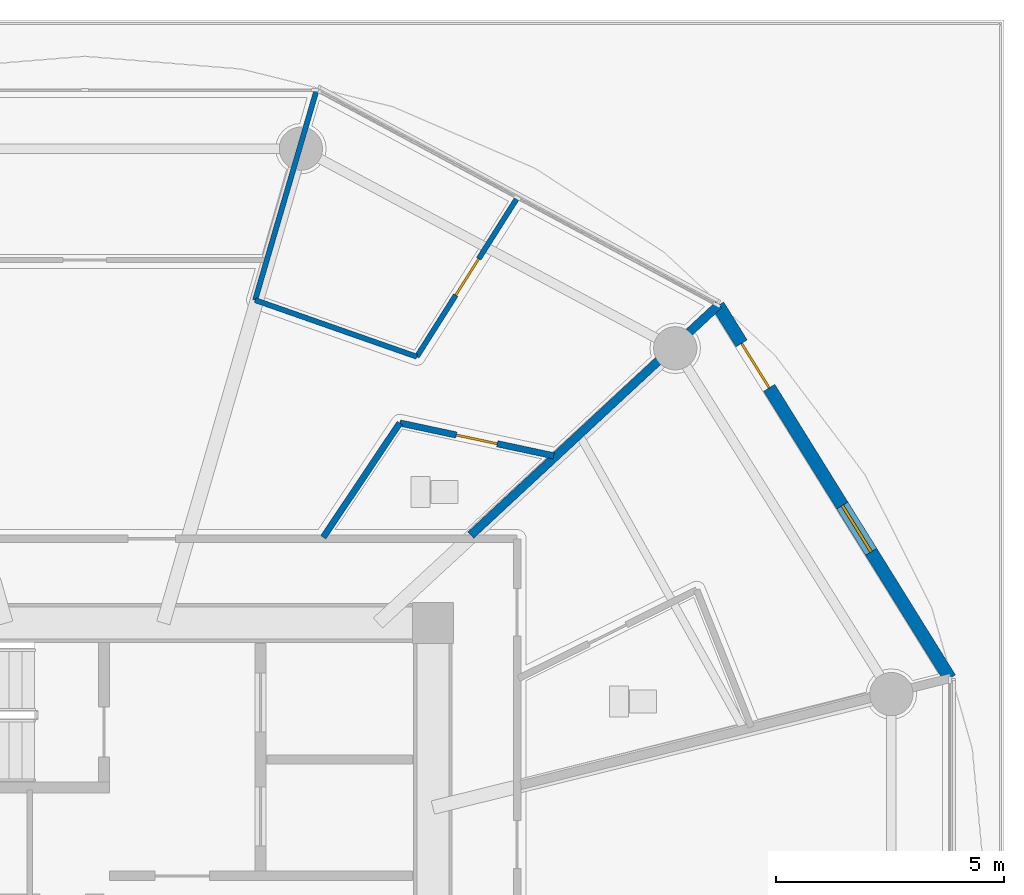
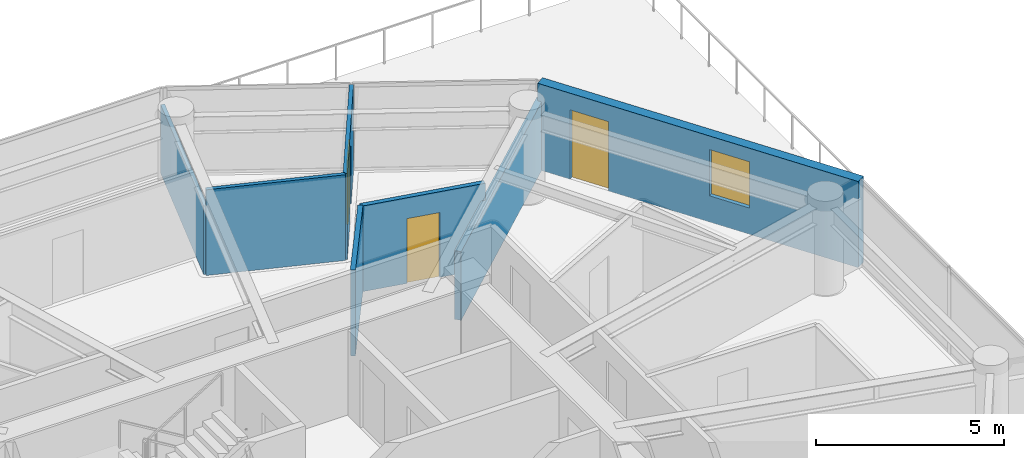
# One storey, part 20 of 32: 7 walls, 3 doors, 1 window, 4 openings.
"""IFC4 building model written with IfcOpenShell, lengths in metres."""

from ifc_helpers import new_model, si_unit, direction, frame, frame_2d, origin, place, context, subcontext, project, spatial, rectangle, extrude, source, transform, mapped, material, layer, layer_set, type_object, type_shapes, element, fill, save


model = new_model("IFC4")

# Units and contexts
model_context = context("Model", 3, precision=1e-05, world=origin(), true_north=direction((0.0, 1.0)))
body_context = subcontext(model_context, "Body", "Model", "MODEL_VIEW")
ifc_project = project(units=[si_unit("LENGTHUNIT", "METRE"), si_unit("AREAUNIT", "SQUARE_METRE"), si_unit("VOLUMEUNIT", "CUBIC_METRE"), si_unit("PLANEANGLEUNIT", "RADIAN"), si_unit("MASSUNIT", "GRAM", prefix="KILO")], contexts=[model_context])

# Site, building, storey
site_placement = place(None, origin())
site = spatial("IfcSite", under=ifc_project, at=site_placement, CompositionType="ELEMENT")
building_placement = place(site_placement, origin())
building = spatial("IfcBuilding", under=site, at=building_placement, Name="Norrkilde Senior Care Towers", CompositionType="ELEMENT")
storey_placement = place(building_placement, frame((0.0, 0.0, 21.60009765625)))
storey = spatial("IfcBuildingStorey", under=building, at=storey_placement, Name="L05", CompositionType="ELEMENT", Elevation=21.60009765625)

# Wall, openings, door, window
ifc_material_1 = material(Name="Precast concrete C45/55", Category="concrete")
ifc_layer_1 = layer(ifc_material_1, 0.2900390625)
ifc_layer_set_1 = layer_set([ifc_layer_1], Name="Precast concrete C45/55")
wall_type_1 = type_object("IfcWallType", Name="Winter Garden Facade Wall 290", PredefinedType="SOLIDWALL", material=ifc_layer_set_1)
shared_shape_1 = source(origin(), body_context, "Body", "SweptSolid", [
    extrude(rectangle(XDim=9.64892578125, YDim=0.2900390625, at=frame_2d((4.824462890625, 0.0))), origin(), (0.0, 0.0, 1.0), 2.789794921875),
])
type_shapes(wall_type_1, [shared_shape_1])
wall_1_placement = place(storey_placement, frame((41.915771484375, 12.926025390625, 0.0), z_axis=(0.0, 0.0, 1.0), x_axis=(0.527909458386, -0.849300655684, 0.0)))
wall_1 = element("IfcWall", 1, at=wall_1_placement, inside=storey, type_object=wall_type_1, Name="L05 Drum E Balcony Access Wall 00", PredefinedType="SOLIDWALL", context=body_context, shape_type="MappedRepresentation", body=[
    mapped(shared_shape_1, transform((0.0, 0.0, 0.0), x_axis=(1.0, 0.0, 0.0), y_axis=(0.0, 1.0, 0.0), z_axis=(0.0, 0.0, 1.0), scale=1.0)),
])
opening_1_placement = place(wall_1_placement, frame((0.97998046875, 0.0, 0.0)))
opening_1 = element("IfcOpeningElement", 2, at=opening_1_placement, cuts=wall_1, Name="Opening D-09", PredefinedType="OPENING", context=body_context, shape_type="SweptSolid", body=[
    extrude(rectangle(XDim=1.14990234375, YDim=2.25, at=frame_2d((0.574951171875, 1.125))), frame((0.0, 0.155029296875, 0.0), z_axis=(0.0, -1.0, 0.0), x_axis=(1.0, 0.0, 0.0)), (0.0, 0.0, 1.0), 0.31005859375),
])
opening_2_placement = place(wall_1_placement, frame((5.17431640625, 0.0, 0.85009765625)))
opening_2 = element("IfcOpeningElement", 3, at=opening_2_placement, cuts=wall_1, Name="Opening WN-07", PredefinedType="OPENING", context=body_context, shape_type="SweptSolid", body=[
    extrude(rectangle(XDim=1.199951171875, YDim=1.5, at=frame_2d((0.60009765625, 0.75))), frame((0.0, 0.155029296875, 0.0), z_axis=(0.0, -1.0, 0.0), x_axis=(1.0, 0.0, 0.0)), (0.0, 0.0, 1.0), 0.31005859375),
])
ifc_material_2 = material(Name="Anodised Aluminium", Category="aluminium")
door_type_1 = type_object("IfcDoorType", Name="Terrace and Balcony Glazed Door 1150x2250", OperationType="NOTDEFINED", PredefinedType="DOOR", material=ifc_material_2)
shared_shape_2 = source(origin(), body_context, "Body", "SweptSolid", [
    extrude(rectangle(XDim=1.14990234375, YDim=2.25, at=frame_2d((0.574951171875, 1.125))), frame((0.0, 0.02490234375, 0.0), z_axis=(0.0, -1.0, 0.0), x_axis=(1.0, 0.0, 0.0)), (0.0, 0.0, 1.0), 0.050048828125),
])
type_shapes(door_type_1, [shared_shape_2])
door_1_placement = place(opening_1_placement, origin())
door_1 = element("IfcDoor", 4, at=door_1_placement, inside=storey, type_object=door_type_1, Name="L05 Drum E Outdoor Terrace Door 00", OperationType="SINGLE_SWING_LEFT", OverallHeight=2.25, OverallWidth=1.14990234375, PredefinedType="DOOR", context=body_context, shape_type="MappedRepresentation", body=[
    mapped(shared_shape_2, transform((0.0, 0.0, 0.0), x_axis=(1.0, 0.0, 0.0), y_axis=(0.0, 1.0, 0.0), z_axis=(0.0, 0.0, 1.0), scale=1.0)),
])
fill(opening_1, door_1)
ifc_material_3 = material(Name="Triple Low-E Insulated Glazing", Category="glass")
window_type = type_object("IfcWindowType", Name="Stairwell Smoke Vent Window 1200x1500", PartitioningType="SINGLE_PANEL", PredefinedType="WINDOW", material=ifc_material_3)
shared_shape_3 = source(origin(), body_context, "Body", "SweptSolid", [
    extrude(rectangle(XDim=1.199951171875, YDim=1.5, at=frame_2d((0.60009765625, 0.75))), frame((0.0, 0.030029296875, 0.0), z_axis=(0.0, -1.0, 0.0), x_axis=(1.0, 0.0, 0.0)), (0.0, 0.0, 1.0), 0.06005859375),
])
type_shapes(window_type, [shared_shape_3])
window_placement = place(opening_2_placement, origin())
window = element("IfcWindow", 5, at=window_placement, inside=storey, type_object=window_type, Name="L05 Drum E Winter Garden Window 00", OverallHeight=1.5, OverallWidth=1.199951171875, PartitioningType="SINGLE_PANEL", PredefinedType="WINDOW", context=body_context, shape_type="MappedRepresentation", body=[
    mapped(shared_shape_3, transform((0.0, 0.0, 0.0), x_axis=(1.0, 0.0, 0.0), y_axis=(0.0, 1.0, 0.0), z_axis=(0.0, 0.0, 1.0), scale=1.0)),
])
fill(opening_2, window)

# Walls
ifc_material_4 = material(Name="Gypsum Acoustic Board")
ifc_layer_2 = layer(ifc_material_4, 0.18994140625)
ifc_layer_set_2 = layer_set([ifc_layer_2], Name="Gypsum Acoustic Board")
wall_type_2 = type_object("IfcWallType", Name="Unit Demising Acoustic Wall 190", PredefinedType="PARTITIONING", material=ifc_layer_set_2)
shared_shape_4 = source(origin(), body_context, "Body", "SweptSolid", [
    extrude(rectangle(XDim=7.4345703125, YDim=0.18994140625, at=frame_2d((3.71728515625, 0.0))), origin(), (0.0, 0.0, 1.0), 2.224853515625),
])
type_shapes(wall_type_2, [shared_shape_4])
wall_2_placement = place(storey_placement, frame((36.48291015625, 7.8798828125, 0.0), z_axis=(0.0, 0.0, 1.0), x_axis=(0.732651956848, 0.680603489652, 0.0)))
element("IfcWall", 6, at=wall_2_placement, inside=storey, type_object=wall_type_2, Name="WL-INT-L05-E-DEM-01-0", PredefinedType="PARTITIONING", context=body_context, shape_type="MappedRepresentation", body=[
    mapped(shared_shape_4, transform((0.0, 0.0, 0.0), x_axis=(1.0, 0.0, 0.0), y_axis=(0.0, 1.0, 0.0), z_axis=(0.0, 0.0, 1.0), scale=1.0)),
])
ifc_layer_3 = layer(ifc_material_4, 0.114990234375)
ifc_layer_set_3 = layer_set([ifc_layer_3], Name="Gypsum Acoustic Board")
wall_type_3 = type_object("IfcWallType", Name="Internal Room Partition 115", PredefinedType="PARTITIONING", material=ifc_layer_set_3)
shared_shape_5 = source(origin(), body_context, "Body", "SweptSolid", [
    extrude(rectangle(XDim=4.8291015625, YDim=0.114990234375, at=frame_2d((2.41455078125, 0.0))), origin(), (0.0, 0.0, 1.0), 2.224853515625),
])
wall_3_placement = place(storey_placement, frame((31.742431640625, 13.041748046875, 0.0), z_axis=(0.0, 0.0, 1.0), x_axis=(0.280838556456, 0.959755023539, 0.0)))
element("IfcWall", 7, at=wall_3_placement, inside=storey, type_object=wall_type_3, Name="WL-INT-L05-E-UBR-01-1", PredefinedType="PARTITIONING", context=body_context, shape_type="MappedRepresentation", body=[
    mapped(shared_shape_5, transform((0.0, 0.0, 0.0), x_axis=(1.0, 0.0, 0.0), y_axis=(0.0, 1.0, 0.0), z_axis=(0.0, 0.0, 1.0), scale=1.0)),
])
ifc_layer_4 = layer(ifc_material_4, 0.139892578125)
ifc_layer_set_4 = layer_set([ifc_layer_4], Name="Gypsum Acoustic Board")
wall_type_4 = type_object("IfcWallType", Name="En-suite Wet Room Wall 140", PredefinedType="PARTITIONING", material=ifc_layer_set_4)
shared_shape_6 = source(origin(), body_context, "Body", "SweptSolid", [
    extrude(rectangle(XDim=3.025146484375, YDim=0.139892578125, at=frame_2d((1.5126953125, 0.0))), origin(), (0.0, 0.0, 1.0), 2.77490234375),
])
wall_4_placement = place(storey_placement, frame((33.23974609375, 7.830078125, 0.0), z_axis=(0.0, 0.0, 1.0), x_axis=(0.556189165904, 0.831055721195, 0.0)))
element("IfcWall", 8, at=wall_4_placement, inside=storey, type_object=wall_type_4, Name="WL-INT-L05-E-UBTS-01", PredefinedType="PARTITIONING", context=body_context, shape_type="MappedRepresentation", body=[
    mapped(shared_shape_6, transform((0.0, 0.0, 0.0), x_axis=(1.0, 0.0, 0.0), y_axis=(0.0, 1.0, 0.0), z_axis=(0.0, 0.0, 1.0), scale=1.0)),
])

# Wall, opening, door
shared_shape_7 = source(origin(), body_context, "Body", "SweptSolid", [
    extrude(rectangle(XDim=3.458984375, YDim=0.139892578125, at=frame_2d((1.7294921875, 0.0))), origin(), (0.0, 0.0, 1.0), 2.77490234375),
])
type_shapes(wall_type_4, [shared_shape_6, shared_shape_7])
wall_5_placement = place(storey_placement, frame((34.92236328125, 10.34423828125, 0.0), z_axis=(0.0, 0.0, 1.0), x_axis=(0.978006468578, -0.208574560815, 0.0)))
wall_5 = element("IfcWall", 9, at=wall_5_placement, inside=storey, type_object=wall_type_4, Name="WL-INT-L05-E-UBTF-01", PredefinedType="PARTITIONING", context=body_context, shape_type="MappedRepresentation", body=[
    mapped(shared_shape_7, transform((0.0, 0.0, 0.0), x_axis=(1.0, 0.0, 0.0), y_axis=(0.0, 1.0, 0.0), z_axis=(0.0, 0.0, 1.0), scale=1.0)),
])
opening_3_placement = place(wall_5_placement, frame((1.26953125, 0.0, 0.0)))
opening_3 = element("IfcOpeningElement", 10, at=opening_3_placement, cuts=wall_5, Name="Opening D-08", PredefinedType="OPENING", context=body_context, shape_type="SweptSolid", body=[
    extrude(rectangle(XDim=0.919921875, YDim=2.10009765625, at=frame_2d((0.4599609375, 1.050048828125))), frame((0.0, 0.079833984375, 0.0), z_axis=(0.0, -1.0, 0.0), x_axis=(1.0, 0.0, 0.0)), (0.0, 0.0, 1.0), 0.159912109375),
])
ifc_material_5 = material(Name="Nordic Ash Timber", Category="wood")
door_type_2 = type_object("IfcDoorType", Name="Accessible Wet Room Door 920x2100", OperationType="NOTDEFINED", PredefinedType="DOOR", material=ifc_material_5)
shared_shape_8 = source(origin(), body_context, "Body", "SweptSolid", [
    extrude(rectangle(XDim=0.919921875, YDim=2.10009765625, at=frame_2d((0.4599609375, 1.050048828125))), frame((0.0, 0.02490234375, 0.0), z_axis=(0.0, -1.0, 0.0), x_axis=(1.0, 0.0, 0.0)), (0.0, 0.0, 1.0), 0.050048828125),
])
type_shapes(door_type_2, [shared_shape_8])
door_2_placement = place(opening_3_placement, origin())
door_2 = element("IfcDoor", 11, at=door_2_placement, inside=storey, type_object=door_type_2, Name="Apartment 05A Bathroom Door", OperationType="SINGLE_SWING_LEFT", OverallHeight=2.10009765625, OverallWidth=0.919921875, PredefinedType="DOOR", context=body_context, shape_type="MappedRepresentation", body=[
    mapped(shared_shape_8, transform((0.0, 0.0, 0.0), x_axis=(1.0, 0.0, 0.0), y_axis=(0.0, 1.0, 0.0), z_axis=(0.0, 0.0, 1.0), scale=1.0)),
])
fill(opening_3, door_2)

shared_shape_9 = source(origin(), body_context, "Body", "SweptSolid", [
    extrude(rectangle(XDim=4.150390625, YDim=0.114990234375, at=frame_2d((2.0751953125, 0.0))), origin(), (0.0, 0.0, 1.0), 2.77490234375),
])
wall_6_placement = place(storey_placement, frame((35.296142578125, 11.800537109375, 0.0), z_axis=(0.0, 0.0, 1.0), x_axis=(0.534475378192, 0.845184045109, 0.0)))
wall_6 = element("IfcWall", 12, at=wall_6_placement, inside=storey, type_object=wall_type_3, Name="WL-INT-L05-E-UKTS-01", PredefinedType="PARTITIONING", context=body_context, shape_type="MappedRepresentation", body=[
    mapped(shared_shape_9, transform((0.0, 0.0, 0.0), x_axis=(1.0, 0.0, 0.0), y_axis=(0.0, 1.0, 0.0), z_axis=(0.0, 0.0, 1.0), scale=1.0)),
])
opening_4_placement = place(wall_6_placement, frame((1.60009765625, 0.0, 0.0)))
opening_4 = element("IfcOpeningElement", 13, at=opening_4_placement, cuts=wall_6, Name="Opening D-07", PredefinedType="OPENING", context=body_context, shape_type="SweptSolid", body=[
    extrude(rectangle(XDim=0.949951171875, YDim=2.10009765625, at=frame_2d((0.47509765625, 1.050048828125))), frame((0.0, 0.0673828125, 0.0), z_axis=(0.0, -1.0, 0.0), x_axis=(1.0, 0.0, 0.0)), (0.0, 0.0, 1.0), 0.135009765625),
])
door_type_3 = type_object("IfcDoorType", Name="Internal Suite Bedroom Door 950x2100", OperationType="NOTDEFINED", PredefinedType="DOOR", material=ifc_material_5)
shared_shape_10 = source(origin(), body_context, "Body", "SweptSolid", [
    extrude(rectangle(XDim=0.949951171875, YDim=2.10009765625, at=frame_2d((0.47509765625, 1.050048828125))), frame((0.0, 0.02490234375, 0.0), z_axis=(0.0, -1.0, 0.0), x_axis=(1.0, 0.0, 0.0)), (0.0, 0.0, 1.0), 0.050048828125),
])
type_shapes(door_type_3, [shared_shape_10])
door_3_placement = place(opening_4_placement, frame((0.949951171875, 0.0, 0.0), z_axis=(0.0, 0.0, 1.0), x_axis=(-1.0, 0.0, 0.0)))
door_3 = element("IfcDoor", 14, at=door_3_placement, inside=storey, type_object=door_type_3, Name="Apartment 05A Kitchen Door", OperationType="SINGLE_SWING_RIGHT", OverallHeight=2.10009765625, OverallWidth=0.949951171875, PredefinedType="DOOR", context=body_context, shape_type="MappedRepresentation", body=[
    mapped(shared_shape_10, transform((0.0, 0.0, 0.0), x_axis=(1.0, 0.0, 0.0), y_axis=(0.0, 1.0, 0.0), z_axis=(0.0, 0.0, 1.0), scale=1.0)),
])
fill(opening_4, door_3)

# Wall
shared_shape_11 = source(origin(), body_context, "Body", "SweptSolid", [
    extrude(rectangle(XDim=3.7646484375, YDim=0.114990234375, at=frame_2d((1.88232421875, 0.0))), origin(), (0.0, 0.0, 1.0), 2.77490234375),
])
type_shapes(wall_type_3, [shared_shape_5, shared_shape_9, shared_shape_11])
wall_7_placement = place(storey_placement, frame((35.296142578125, 11.800537109375, 0.0), z_axis=(0.0, 0.0, 1.0), x_axis=(-0.943788572669, 0.330549739222, 0.0)))
element("IfcWall", 15, at=wall_7_placement, inside=storey, type_object=wall_type_3, Name="WL-INT-L05-E-UKTF-01", PredefinedType="PARTITIONING", context=body_context, shape_type="MappedRepresentation", body=[
    mapped(shared_shape_11, transform((0.0, 0.0, 0.0), x_axis=(1.0, 0.0, 0.0), y_axis=(0.0, 1.0, 0.0), z_axis=(0.0, 0.0, 1.0), scale=1.0)),
])

save(model, "model.ifc")
